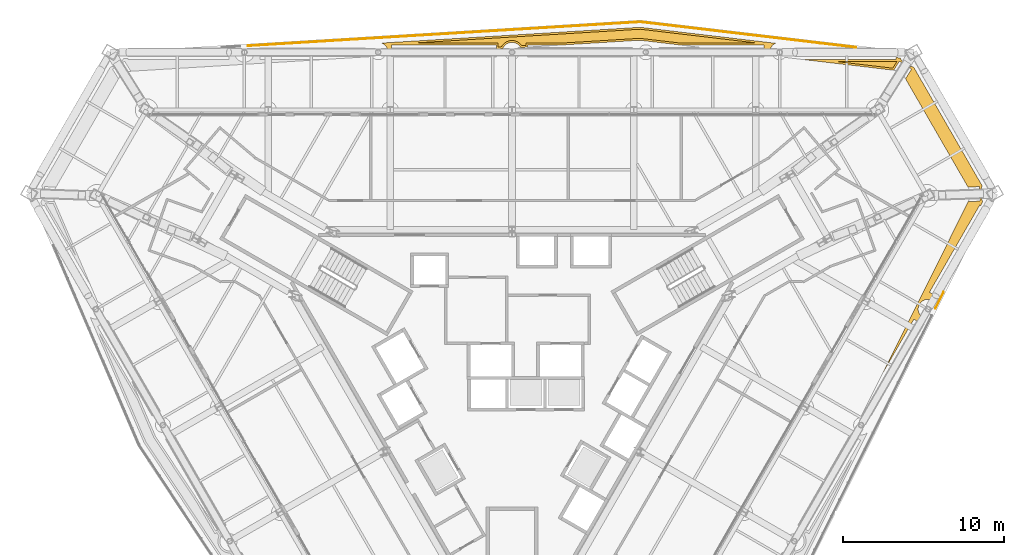
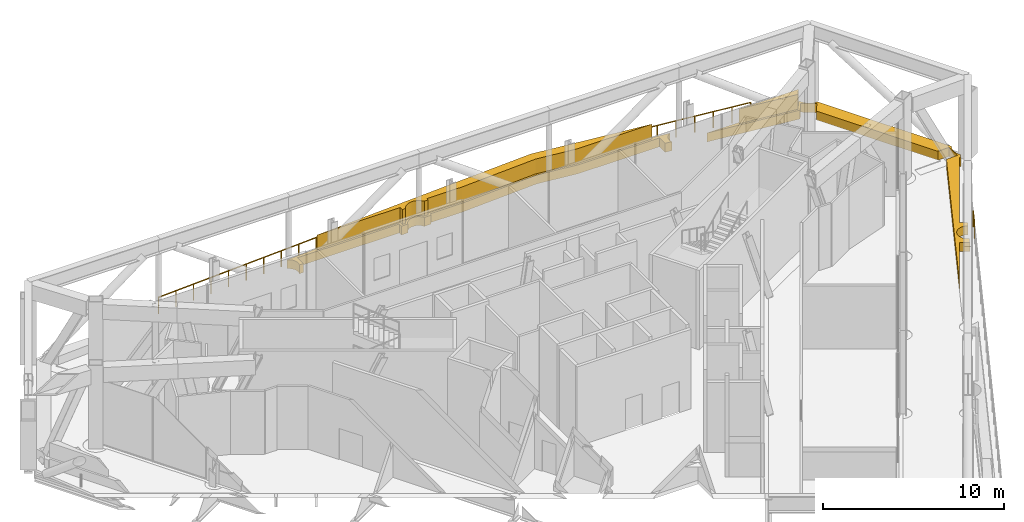
# One storey, part 24 of 25: 4 coverings, 2 railings.
"""IFC4 building model written with IfcOpenShell, lengths in metres."""

from ifc_helpers import new_model, si_unit, direction, frame, origin, origin_2d, place, context, subcontext, project, spatial, polyline, circle, outline, extrude, material, type_object, element, save


model = new_model("IFC4")

# Units and contexts
model_context = context("Model", 3, precision=1e-05, world=origin(), true_north=direction((0.0, 1.0)))
body_context = subcontext(model_context, "Body", "Model", "MODEL_VIEW")
ifc_project = project(units=[si_unit("LENGTHUNIT", "METRE"), si_unit("AREAUNIT", "SQUARE_METRE"), si_unit("VOLUMEUNIT", "CUBIC_METRE"), si_unit("PLANEANGLEUNIT", "RADIAN"), si_unit("MASSUNIT", "GRAM", prefix="KILO")], contexts=[model_context])

# Site, building, storey
site_placement = place(None, origin())
site = spatial("IfcSite", under=ifc_project, at=site_placement, CompositionType="ELEMENT")
building_placement = place(site_placement, origin())
building = spatial("IfcBuilding", under=site, at=building_placement, Name="Verrane Prism Tower", CompositionType="ELEMENT")
storey_placement = place(building_placement, frame((0.0, 0.0, 143.199951171875)))
storey = spatial("IfcBuildingStorey", under=building, at=storey_placement, Name="L35", CompositionType="ELEMENT", Elevation=143.199951171875)

# Coverings
ifc_material_1 = material(Name="Planting medium in stone kerb", Category="masonry")
covering_type_1 = type_object("IfcCoveringType", Name="Planter bed 600", PredefinedType="USERDEFINED", material=ifc_material_1)
covering_1_placement = place(storey_placement, origin())
element("IfcCovering", 1, at=covering_1_placement, inside=storey, type_object=covering_type_1, Name="Planter bed L35 1", ObjectType="PLANTER", PredefinedType="USERDEFINED", context=body_context, shape_type="SweptSolid", body=[
    extrude(outline(polyline([(23.77880859375, 19.86669921875), (23.77880859375, 19.739990234375), (18.09619140625, 19.739990234375), (18.095947265625, 19.73291015625), (23.652099609375, 19.075927734375), (23.998779296875, 19.630126953125), (24.76171875, 19.152587890625), (24.382080078125, 18.5458984375), (28.253173828125, 11.8408203125), (28.96337890625, 11.8662109375), (28.995361328125, 10.966796875), (28.273193359375, 10.94091796875), (23.017578125, 0.406982421875), (23.025146484375, 0.403076171875), (24.902587890625, 3.6513671875), (25.389892578125, 3.369873046875), (25.554931640625, 3.70068359375), (25.545654296875, 3.7041015625), (25.4912109375, 3.729736328125), (25.439697265625, 3.7607421875), (25.391357421875, 3.79638671875), (25.346923828125, 3.8369140625), (25.306396484375, 3.88134765625), (25.270751953125, 3.9296875), (25.23974609375, 3.981201171875), (25.214111328125, 4.03564453125), (25.19384765625, 4.09228515625), (25.17919921875, 4.150390625), (25.17041015625, 4.2099609375), (25.16748046875, 4.27001953125), (25.17041015625, 4.330078125), (25.17919921875, 4.389404296875), (25.19384765625, 4.44775390625), (25.214111328125, 4.50439453125), (25.23974609375, 4.558837890625), (25.270751953125, 4.6103515625), (25.306396484375, 4.65869140625), (25.346923828125, 4.703125), (25.391357421875, 4.743408203125), (25.439697265625, 4.779296875), (25.4912109375, 4.810302734375), (25.545654296875, 4.8359375), (25.602294921875, 4.856201171875), (25.660400390625, 4.870849609375), (25.719970703125, 4.879638671875), (25.780029296875, 4.882568359375), (25.840087890625, 4.879638671875), (25.8994140625, 4.870849609375), (25.957763671875, 4.856201171875), (26.014404296875, 4.8359375), (26.06884765625, 4.810302734375), (26.099365234375, 4.7919921875), (26.252197265625, 5.098388671875), (25.866455078125, 5.32080078125), (28.98046875, 10.721435546875), (29.040283203125, 10.68701171875), (29.171630859375, 10.9501953125), (29.126220703125, 11.025634765625), (29.08837890625, 11.105712890625), (29.058837890625, 11.188720703125), (29.037353515625, 11.2744140625), (29.0244140625, 11.36181640625), (29.02001953125, 11.449951171875), (29.0244140625, 11.5380859375), (29.037353515625, 11.62548828125), (29.058837890625, 11.711181640625), (29.08837890625, 11.79443359375), (29.126220703125, 11.874267578125), (29.14208984375, 11.90087890625), (28.94140625, 12.248291015625), (28.9404296875, 12.247802734375), (27.753662109375, 14.305908203125), (24.8759765625, 19.290283203125), (24.791748046875, 19.294189453125), (24.704345703125, 19.307373046875), (24.61865234375, 19.328857421875), (24.53564453125, 19.3583984375), (24.455810546875, 19.396240234375), (24.3798828125, 19.441650390625), (24.30908203125, 19.494384765625), (24.24365234375, 19.5537109375), (24.184326171875, 19.618896484375), (24.131591796875, 19.68994140625), (24.086181640625, 19.765625), (24.053955078125, 19.833984375), (23.77880859375, 19.86669921875)])), origin(), (0.0, 0.0, 1.0), 0.60009765625),
])
covering_2_placement = place(storey_placement, origin())
element("IfcCovering", 2, at=covering_2_placement, inside=storey, type_object=covering_type_1, Name="Planter bed L35 3", ObjectType="PLANTER", PredefinedType="USERDEFINED", context=body_context, shape_type="SweptSolid", body=[
    extrude(outline(polyline([(-8.001220703125, 20.730224609375), (-7.94970703125, 20.69921875), (-7.9013671875, 20.66357421875), (-7.85693359375, 20.623046875), (-7.81640625, 20.57861328125), (-7.78076171875, 20.5302734375), (-7.749755859375, 20.478759765625), (-7.72412109375, 20.42431640625), (-7.703857421875, 20.367919921875), (-7.689208984375, 20.3095703125), (-7.680419921875, 20.25), (-7.677490234375, 20.18994140625), (-7.680419921875, 20.1298828125), (-7.689208984375, 20.070556640625), (-7.703857421875, 20.01220703125), (-7.71435546875, 19.98291015625), (-7.461669921875, 19.998291015625), (-7.461669921875, 20.639892578125), (-0.974365234375, 20.639892578125), (-0.974365234375, 20.3935546875), (-0.568115234375, 20.418212890625), (-0.56591796875, 20.42431640625), (-0.540283203125, 20.478759765625), (-0.50927734375, 20.5302734375), (-0.473388671875, 20.57861328125), (-0.43310546875, 20.623046875), (-0.388671875, 20.66357421875), (-0.34033203125, 20.69921875), (-0.288818359375, 20.730224609375), (-0.234375, 20.755859375), (-0.177734375, 20.776123046875), (-0.119384765625, 20.790771484375), (-0.06005859375, 20.799560546875), (0.0, 20.802490234375), (0.06005859375, 20.799560546875), (0.119384765625, 20.790771484375), (0.177734375, 20.776123046875), (0.234375, 20.755859375), (0.288818359375, 20.730224609375), (0.34033203125, 20.69921875), (0.388671875, 20.66357421875), (0.43310546875, 20.623046875), (0.473388671875, 20.57861328125), (0.50927734375, 20.5302734375), (0.5361328125, 20.485595703125), (0.974365234375, 20.51220703125), (0.974365234375, 20.639892578125), (3.072998046875, 20.639892578125), (7.9248046875, 20.935546875), (10.424072265625, 20.639892578125), (15.605712890625, 20.639892578125), (15.605712890625, 20.02734375), (16.00537109375, 19.97998046875), (15.993896484375, 20.01220703125), (15.979248046875, 20.070556640625), (15.970458984375, 20.1298828125), (15.96728515625, 20.18994140625), (15.970458984375, 20.25), (15.979248046875, 20.3095703125), (15.993896484375, 20.367919921875), (16.01416015625, 20.42431640625), (16.039794921875, 20.478759765625), (16.07080078125, 20.5302734375), (16.1064453125, 20.57861328125), (16.14697265625, 20.623046875), (16.19140625, 20.66357421875), (16.23974609375, 20.69921875), (16.291259765625, 20.730224609375), (16.327880859375, 20.74755859375), (7.947509765625, 21.73828125), (-8.070068359375, 20.7626953125), (-8.001220703125, 20.730224609375)])), origin(), (0.0, 0.0, 1.0), 0.60009765625),
])
ifc_material_2 = material(Name="Planted shrubs and grasses", Category="other")
covering_type_2 = type_object("IfcCoveringType", Name="Planting mass 1000", PredefinedType="USERDEFINED", material=ifc_material_2)
covering_3_placement = place(storey_placement, frame((0.0, 0.0, 0.60009765625)))
element("IfcCovering", 3, at=covering_3_placement, inside=storey, type_object=covering_type_2, Name="Planting L35 1", ObjectType="PLANTING", PredefinedType="USERDEFINED", context=body_context, shape_type="SweptSolid", body=[
    extrude(outline(polyline([(23.5908203125, 19.2041015625), (23.85107421875, 19.6201171875), (20.072998046875, 19.6201171875), (23.5908203125, 19.2041015625)])), origin(), (0.0, 0.0, 1.0), 1.0),
])
covering_4_placement = place(storey_placement, frame((0.0, 0.0, 0.60009765625)))
element("IfcCovering", 4, at=covering_4_placement, inside=storey, type_object=covering_type_2, Name="Planting L35 3", ObjectType="PLANTING", PredefinedType="USERDEFINED", context=body_context, shape_type="SweptSolid", body=[
    extrude(outline(polyline([(-0.8544921875, 20.760009765625), (-0.8544921875, 20.52099609375), (-0.64697265625, 20.53369140625), (-0.646240234375, 20.535400390625), (-0.609130859375, 20.59716796875), (-0.56640625, 20.65478515625), (-0.51806640625, 20.7080078125), (-0.46484375, 20.75634765625), (-0.406982421875, 20.79931640625), (-0.345458984375, 20.836181640625), (-0.280517578125, 20.866943359375), (-0.212646484375, 20.89111328125), (-0.142822265625, 20.90869140625), (-0.07177734375, 20.919189453125), (0.0, 20.922607421875), (0.07177734375, 20.919189453125), (0.142822265625, 20.90869140625), (0.212646484375, 20.89111328125), (0.280517578125, 20.866943359375), (0.345458984375, 20.836181640625), (0.406982421875, 20.79931640625), (0.46484375, 20.75634765625), (0.51806640625, 20.7080078125), (0.56640625, 20.65478515625), (0.599853515625, 20.609619140625), (0.8544921875, 20.625), (0.8544921875, 20.760009765625), (3.0693359375, 20.760009765625), (7.92822265625, 21.055908203125), (10.43115234375, 20.760009765625), (15.20068359375, 20.760009765625), (7.944091796875, 21.617919921875), (-6.14208984375, 20.760009765625), (-0.8544921875, 20.760009765625)])), origin(), (0.0, 0.0, 1.0), 1.0),
])

# Railings
ifc_material_3 = material(Name="Stainless steel and laminated glass", Category="steel")
railing_type = type_object("IfcRailingType", Name="Terrace guard 1100", PredefinedType="GUARDRAIL", material=ifc_material_3)
railing_1_placement = place(storey_placement, frame((21.316650390625, 20.489990234375, 0.0)))
element("IfcRailing", 5, at=railing_1_placement, inside=storey, type_object=railing_type, Name="Terrace guard L35 1", PredefinedType="GUARDRAIL", context=body_context, shape_type="SweptSolid", body=[
    extrude(circle(Radius=0.02392578125, at=origin_2d()), frame((0.0, 0.0, 1.076171875), z_axis=(-0.993082551629, 0.117418250928, 0.0), x_axis=(-0.117418250928, -0.993082551629, 0.0)), (0.0, 0.0, 1.0), 13.45263671875),
    extrude(circle(Radius=0.02392578125, at=origin_2d()), frame((-13.359619140625, 1.57958984375, 1.076171875), z_axis=(-0.998149919551, -0.060800806744, 0.0), x_axis=(0.060800806744, -0.998149919551, 0.0)), (0.0, 0.0, 1.0), 24.349609375),
    extrude(circle(Radius=0.02099609375, at=origin_2d()), origin(), (0.0, 0.0, 1.0), 1.052001953125),
    extrude(circle(Radius=0.02099609375, at=origin_2d()), frame((-1.11328125, 0.131591796875, 0.0)), (0.0, 0.0, 1.0), 1.052001953125),
    extrude(circle(Radius=0.02099609375, at=origin_2d()), frame((-2.2265625, 0.26318359375, 0.0)), (0.0, 0.0, 1.0), 1.052001953125),
    extrude(circle(Radius=0.02099609375, at=origin_2d()), frame((-3.33984375, 0.39501953125, 0.0)), (0.0, 0.0, 1.0), 1.052001953125),
    extrude(circle(Radius=0.02099609375, at=origin_2d()), frame((-4.453125, 0.526611328125, 0.0)), (0.0, 0.0, 1.0), 1.052001953125),
    extrude(circle(Radius=0.02099609375, at=origin_2d()), frame((-5.56640625, 0.658203125, 0.0)), (0.0, 0.0, 1.0), 1.052001953125),
    extrude(circle(Radius=0.02099609375, at=origin_2d()), frame((-6.6796875, 0.789794921875, 0.0)), (0.0, 0.0, 1.0), 1.052001953125),
    extrude(circle(Radius=0.02099609375, at=origin_2d()), frame((-7.793212890625, 0.92138671875, 0.0)), (0.0, 0.0, 1.0), 1.052001953125),
    extrude(circle(Radius=0.02099609375, at=origin_2d()), frame((-8.906494140625, 1.052978515625, 0.0)), (0.0, 0.0, 1.0), 1.052001953125),
    extrude(circle(Radius=0.02099609375, at=origin_2d()), frame((-10.019775390625, 1.1845703125, 0.0)), (0.0, 0.0, 1.0), 1.052001953125),
    extrude(circle(Radius=0.02099609375, at=origin_2d()), frame((-11.133056640625, 1.31640625, 0.0)), (0.0, 0.0, 1.0), 1.052001953125),
    extrude(circle(Radius=0.02099609375, at=origin_2d()), frame((-12.246337890625, 1.447998046875, 0.0)), (0.0, 0.0, 1.0), 1.052001953125),
    extrude(circle(Radius=0.02099609375, at=origin_2d()), frame((-13.359619140625, 1.57958984375, 0.0)), (0.0, 0.0, 1.0), 1.052001953125),
    extrude(circle(Radius=0.02099609375, at=origin_2d()), frame((-14.51708984375, 1.509033203125, 0.0)), (0.0, 0.0, 1.0), 1.052001953125),
    extrude(circle(Radius=0.02099609375, at=origin_2d()), frame((-15.67431640625, 1.4384765625, 0.0)), (0.0, 0.0, 1.0), 1.052001953125),
    extrude(circle(Radius=0.02099609375, at=origin_2d()), frame((-16.831787109375, 1.3681640625, 0.0)), (0.0, 0.0, 1.0), 1.052001953125),
    extrude(circle(Radius=0.02099609375, at=origin_2d()), frame((-17.989013671875, 1.297607421875, 0.0)), (0.0, 0.0, 1.0), 1.052001953125),
    extrude(circle(Radius=0.02099609375, at=origin_2d()), frame((-19.146484375, 1.22705078125, 0.0)), (0.0, 0.0, 1.0), 1.052001953125),
    extrude(circle(Radius=0.02099609375, at=origin_2d()), frame((-20.3037109375, 1.156494140625, 0.0)), (0.0, 0.0, 1.0), 1.052001953125),
    extrude(circle(Radius=0.02099609375, at=origin_2d()), frame((-21.461181640625, 1.086181640625, 0.0)), (0.0, 0.0, 1.0), 1.052001953125),
    extrude(circle(Radius=0.02099609375, at=origin_2d()), frame((-22.618408203125, 1.015625, 0.0)), (0.0, 0.0, 1.0), 1.052001953125),
    extrude(circle(Radius=0.02099609375, at=origin_2d()), frame((-23.77587890625, 0.945068359375, 0.0)), (0.0, 0.0, 1.0), 1.052001953125),
    extrude(circle(Radius=0.02099609375, at=origin_2d()), frame((-24.93310546875, 0.87451171875, 0.0)), (0.0, 0.0, 1.0), 1.052001953125),
    extrude(circle(Radius=0.02099609375, at=origin_2d()), frame((-26.090576171875, 0.80419921875, 0.0)), (0.0, 0.0, 1.0), 1.052001953125),
    extrude(circle(Radius=0.02099609375, at=origin_2d()), frame((-27.247802734375, 0.733642578125, 0.0)), (0.0, 0.0, 1.0), 1.052001953125),
    extrude(circle(Radius=0.02099609375, at=origin_2d()), frame((-28.4052734375, 0.6630859375, 0.0)), (0.0, 0.0, 1.0), 1.052001953125),
    extrude(circle(Radius=0.02099609375, at=origin_2d()), frame((-29.5625, 0.592529296875, 0.0)), (0.0, 0.0, 1.0), 1.052001953125),
    extrude(circle(Radius=0.02099609375, at=origin_2d()), frame((-30.719970703125, 0.522216796875, 0.0)), (0.0, 0.0, 1.0), 1.052001953125),
    extrude(circle(Radius=0.02099609375, at=origin_2d()), frame((-31.877197265625, 0.45166015625, 0.0)), (0.0, 0.0, 1.0), 1.052001953125),
    extrude(circle(Radius=0.02099609375, at=origin_2d()), frame((-33.03466796875, 0.381103515625, 0.0)), (0.0, 0.0, 1.0), 1.052001953125),
    extrude(circle(Radius=0.02099609375, at=origin_2d()), frame((-34.19189453125, 0.310546875, 0.0)), (0.0, 0.0, 1.0), 1.052001953125),
    extrude(circle(Radius=0.02099609375, at=origin_2d()), frame((-35.349365234375, 0.240234375, 0.0)), (0.0, 0.0, 1.0), 1.052001953125),
    extrude(circle(Radius=0.02099609375, at=origin_2d()), frame((-36.506591796875, 0.169677734375, 0.0)), (0.0, 0.0, 1.0), 1.052001953125),
    extrude(circle(Radius=0.02099609375, at=origin_2d()), frame((-37.6640625, 0.09912109375, 0.0)), (0.0, 0.0, 1.0), 1.052001953125),
])
railing_2_placement = place(storey_placement, frame((26.238037109375, 4.330810546875, 0.0)))
element("IfcRailing", 6, at=railing_2_placement, inside=storey, type_object=railing_type, Name="Terrace guard L35 6", PredefinedType="GUARDRAIL", context=body_context, shape_type="SweptSolid", body=[
    extrude(circle(Radius=0.02392578125, at=origin_2d()), frame((0.0, 0.0, 1.076171875), z_axis=(0.446416640707, 0.894825224779, 0.0), x_axis=(-0.894825224779, 0.446416640707, 0.0)), (0.0, 0.0, 1.0), 1.10302734375),
    extrude(circle(Radius=0.02099609375, at=origin_2d()), origin(), (0.0, 0.0, 1.0), 1.052001953125),
    extrude(circle(Radius=0.02099609375, at=origin_2d()), frame((0.492431640625, 0.987060546875, 0.0)), (0.0, 0.0, 1.0), 1.052001953125),
])

save(model, "model.ifc")
